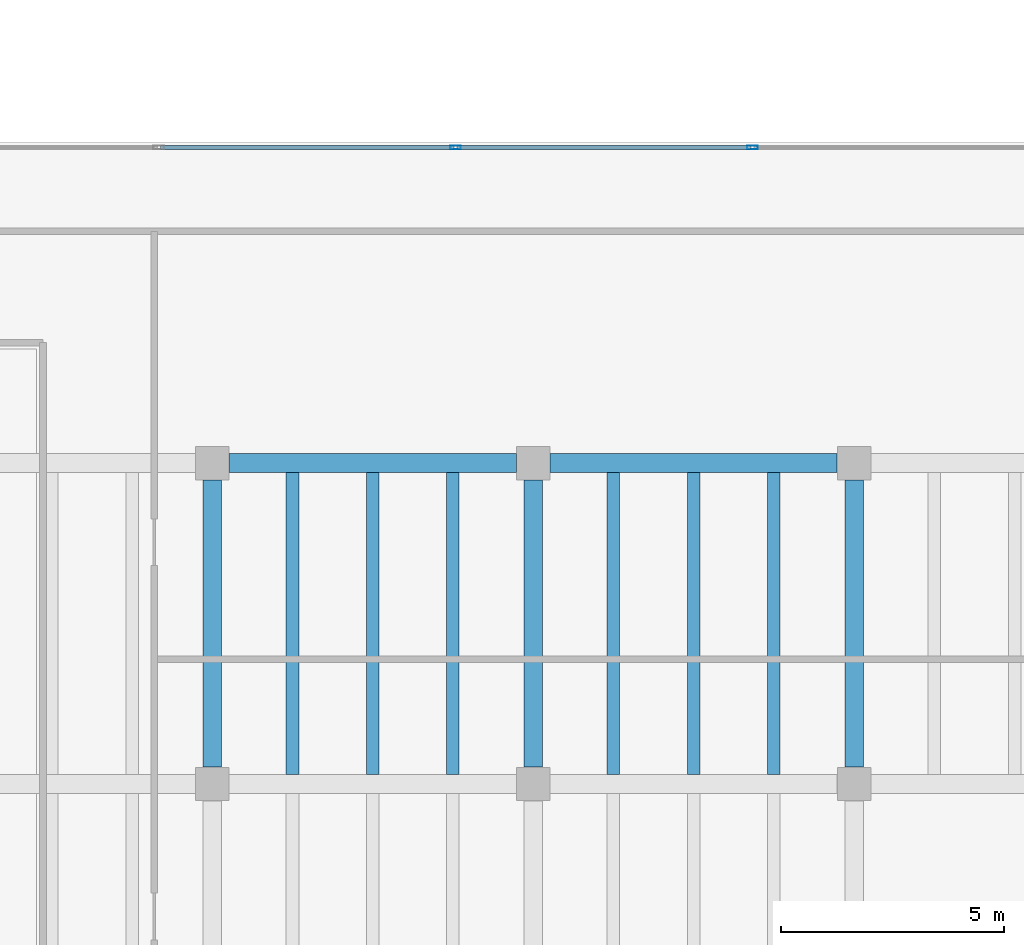
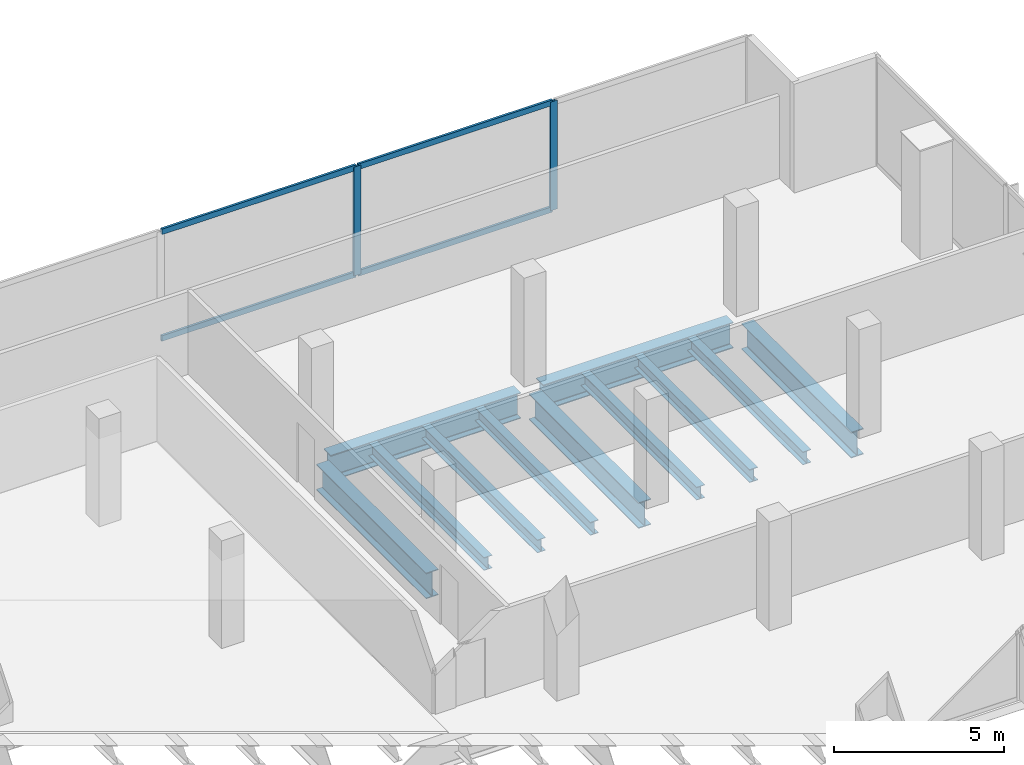
# One storey, part 19 of 32: 11 beams, 6 members, 1 element without a shape of its own.
"""IFC4 building model written with IfcOpenShell, lengths in metres."""

import ifcopenshell
import ifcopenshell.guid

model = None  # the IFC model being written
_history = None  # IfcOwnerHistory: only IFC2X3 demands one
_inside = {}  # id of a spatial element -> (the spatial element, [elements in it])
_under = {}  # id of a project, library or spatial element -> (it, [spatial elements below it])
_declared = {}  # id of a project -> (the project, [libraries it declares])
_typed = {}  # id of a type object -> (the type object, [elements of that type])
_made_of = {}  # id of a material, layer set ... -> (it, [elements and type objects made of it])


def new_model(schema):
    """Start an empty IFC model of exactly this schema.

    Asked for "IFC4X3", IfcOpenShell would pick the latest addendum, in which some entities
    have other attributes; the version numbers below select the first issue.
    IFC2X3 requires an IfcOwnerHistory on every rooted entity: one is made here for all.
    """
    global model, _history
    if schema == "IFC4X3":
        model = ifcopenshell.file(schema_version=(4, 3, 0, 0))
    else:
        model = ifcopenshell.file(schema=schema)
    _inside.clear()
    _under.clear()
    _declared.clear()
    _typed.clear()
    _made_of.clear()
    _history = None
    if model.schema == "IFC2X3":
        org = make("IfcOrganization", Name="unknown")
        user = make(
            "IfcPersonAndOrganization",
            ThePerson=make("IfcPerson", FamilyName="unknown"),
            TheOrganization=org,
        )
        app = make(
            "IfcApplication",
            ApplicationDeveloper=org,
            Version="unknown",
            ApplicationFullName="unknown",
            ApplicationIdentifier="unknown",
        )
        _history = make(
            "IfcOwnerHistory",
            OwningUser=user,
            OwningApplication=app,
            ChangeAction="ADDED",
            CreationDate=0,
        )
    return model


def make(cls, **values):
    """One entity of the class cls with the attributes given. An attribute that is None is left unset."""
    return model.create_entity(
        cls, **{name: value for name, value in values.items() if value is not None}
    )


def rooted(cls, **values):
    """An entity with a GlobalId (a new one), such as an element, a storey or a relation."""
    return make(cls, GlobalId=ifcopenshell.guid.new(), OwnerHistory=_history, **values)


def si_unit(unit_type, name, prefix=None):
    """IfcSIUnit, for example si_unit("LENGTHUNIT", "METRE", prefix="MILLI")."""
    return make("IfcSIUnit", UnitType=unit_type, Prefix=prefix, Name=name)


def assignment(units):
    """IfcUnitAssignment: the units of a project."""
    return None if units is None else make("IfcUnitAssignment", Units=units)


def point(xyz):
    """IfcCartesianPoint."""
    return None if xyz is None else make("IfcCartesianPoint", Coordinates=xyz)


def direction(xyz):
    """IfcDirection."""
    return None if xyz is None else make("IfcDirection", DirectionRatios=xyz)


def frame(location, z_axis=None, x_axis=None):
    """IfcAxis2Placement3D, a coordinate frame: its origin and axes. An axis left out is left unset."""
    return make(
        "IfcAxis2Placement3D",
        Location=point(location),
        Axis=direction(z_axis),
        RefDirection=direction(x_axis),
    )


def frame_2d(location, x_axis=None):
    """IfcAxis2Placement2D, a coordinate frame in the plane: its origin and x axis."""
    return make(
        "IfcAxis2Placement2D", Location=point(location), RefDirection=direction(x_axis)
    )


def origin():
    """The frame at (0, 0, 0) with its axes left unset."""
    return frame((0.0, 0.0, 0.0))


def origin_2d():
    """The frame at (0, 0) in the plane with its x axis left unset."""
    return frame_2d((0.0, 0.0))


def place(relative_to, where):
    """IfcLocalPlacement: puts the frame where relative to a parent placement (None: the world)."""
    return make(
        "IfcLocalPlacement", PlacementRelTo=relative_to, RelativePlacement=where
    )


def context(
    kind, dimensions, precision=None, world=None, true_north=None, identifier=None
):
    """IfcGeometricRepresentationContext, for example the 3D "Model" context."""
    return make(
        "IfcGeometricRepresentationContext",
        ContextIdentifier=identifier,
        ContextType=kind,
        CoordinateSpaceDimension=dimensions,
        Precision=precision,
        WorldCoordinateSystem=world,
        TrueNorth=true_north,
    )


def subcontext(parent, identifier, kind, view, scale=None):
    """IfcGeometricRepresentationSubContext, for example "Body" below "Model"."""
    return make(
        "IfcGeometricRepresentationSubContext",
        ContextIdentifier=identifier,
        ContextType=kind,
        ParentContext=parent,
        TargetScale=scale,
        TargetView=view,
    )


def project(units=None, contexts=None):
    """IfcProject with its units and contexts."""
    return rooted(
        "IfcProject",
        Name="project",
        RepresentationContexts=contexts,
        UnitsInContext=assignment(units),
    )


def spatial(cls, under=None, at=None, **own):
    """A site, building, storey or space (cls), placed at a placement, below another one or the project."""
    s = rooted(cls, ObjectPlacement=at, **own)
    if under is not None:
        _under.setdefault(under.id(), (under, []))[1].append(s)
    return s


def profile(cls, at=None, kind="AREA", **sizes):
    """A parametric profile (cls). Its sizes go by their IFC names, for example OverallWidth=200.0."""
    return make(cls, ProfileType=kind, Position=at, **sizes)


def hollow_rectangle(**sizes):
    """IfcRectangleHollowProfileDef."""
    return profile("IfcRectangleHollowProfileDef", **sizes)


def i_section(**sizes):
    """IfcIShapeProfileDef."""
    return profile("IfcIShapeProfileDef", **sizes)


def extrude(swept, where, along, depth):
    """IfcExtrudedAreaSolid: the profile swept, set in the frame where, extruded along a direction by depth."""
    return make(
        "IfcExtrudedAreaSolid",
        SweptArea=swept,
        Position=where,
        ExtrudedDirection=direction(along),
        Depth=depth,
    )


def shape(context_of_items, identifier, shape_type, items):
    """IfcShapeRepresentation: the items that make up one representation, for example the "Body"."""
    return make(
        "IfcShapeRepresentation",
        ContextOfItems=context_of_items,
        RepresentationIdentifier=identifier,
        RepresentationType=shape_type,
        Items=items,
    )


def material(Name=None, Category=None):
    """IfcMaterial."""
    return make("IfcMaterial", Name=Name, Category=Category)


def material_profile(
    of_material, cross_section, Name=None, Category=None, Priority=None
):
    """IfcMaterialProfile: a cross section and its material."""
    return make(
        "IfcMaterialProfile",
        Name=Name,
        Material=of_material,
        Profile=cross_section,
        Priority=Priority,
        Category=Category,
    )


def profile_set(profiles, Name=None, composite=None):
    """IfcMaterialProfileSet."""
    return make(
        "IfcMaterialProfileSet",
        Name=Name,
        MaterialProfiles=profiles,
        CompositeProfile=composite,
    )


def made_of(thing, what):
    """Note that an element or type object is made of a material, layer set ...; save() writes the relation."""
    if what is not None:
        _made_of.setdefault(what.id(), (what, []))[1].append(thing)
    return thing


def type_object(cls, material=None, **own):
    """A type object (cls), such as IfcWallType, which elements share."""
    return made_of(rooted(cls, **own), material)


def element(
    cls,
    number,
    at=None,
    inside=None,
    cuts=None,
    type_object=None,
    material=None,
    context=None,
    identifier="Body",
    shape_type=None,
    held_by="IfcProductDefinitionShape",
    body=None,
    shapes=None,
    **own,
):
    """One element of the class cls, such as IfcWall. Its Tag is "e" and its number.

    at: its placement. inside: the storey or other place that contains it. cuts: it is an
    opening in that element (IfcRelVoidsElement). A single representation is given by context,
    identifier, shape_type and body (its items); several are given by shapes. held_by: the class
    of the entity that holds the representations. save() writes the other relations.
    """
    e = rooted(cls, Tag="e%d" % number, ObjectPlacement=at, **own)
    if body is not None:
        shapes = [shape(context, identifier, shape_type, body)]
    if shapes is not None:
        e.Representation = make(held_by, Representations=shapes)
    if inside is not None:
        _inside.setdefault(inside.id(), (inside, []))[1].append(e)
    if cuts is not None:
        rooted(
            "IfcRelVoidsElement", RelatingBuildingElement=cuts, RelatedOpeningElement=e
        )
    if type_object is not None:
        _typed.setdefault(type_object.id(), (type_object, []))[1].append(e)
    return made_of(e, material)


def aggregate(whole, parts):
    """IfcRelAggregates: a whole, such as a stair, and the parts it consists of."""
    return rooted("IfcRelAggregates", RelatingObject=whole, RelatedObjects=parts)


def save(model, path):
    """Write the relations noted so far, then the file.

    IfcRelAggregates (storeys below a building ...), IfcRelContainedInSpatialStructure (elements
    in a storey), IfcRelDefinesByType, IfcRelAssociatesMaterial and IfcRelDeclares: one each for
    every whole, place, type object, material and project.
    """
    for whole, parts in _under.values():
        aggregate(whole, parts)
    for where, things in _inside.values():
        rooted(
            "IfcRelContainedInSpatialStructure",
            RelatedElements=things,
            RelatingStructure=where,
        )
    for kind, things in _typed.values():
        rooted("IfcRelDefinesByType", RelatedObjects=things, RelatingType=kind)
    for what, things in _made_of.values():
        rooted("IfcRelAssociatesMaterial", RelatedObjects=things, RelatingMaterial=what)
    for by, libraries in _declared.values():
        rooted("IfcRelDeclares", RelatingContext=by, RelatedDefinitions=libraries)
    model.write(path)


model = new_model("IFC4")

# Units and contexts
model_context = context("Model", 3, precision=1e-05, world=origin(), true_north=direction((0.0, 1.0)))
body_context = subcontext(model_context, "Body", "Model", "MODEL_VIEW")
ifc_project = project(units=[si_unit("LENGTHUNIT", "METRE"), si_unit("AREAUNIT", "SQUARE_METRE"), si_unit("VOLUMEUNIT", "CUBIC_METRE"), si_unit("PLANEANGLEUNIT", "RADIAN"), si_unit("MASSUNIT", "GRAM", prefix="KILO")], contexts=[model_context])

# Site, building, storey
site_placement = place(None, origin())
site = spatial("IfcSite", under=ifc_project, at=site_placement, CompositionType="ELEMENT")
building_placement = place(site_placement, origin())
building = spatial("IfcBuilding", under=site, at=building_placement, Name="Cobrela Telecom Tower", CompositionType="ELEMENT")
storey_placement = place(building_placement, frame((0.0, 0.0, 22.050048828125)))
storey = spatial("IfcBuildingStorey", under=building, at=storey_placement, Name="L05", CompositionType="ELEMENT", Elevation=22.050048828125)

# Beams
ifc_material_1 = material(Name="Steel ASTM A992 Grade 50", Category="steel")
ifc_material_profile_1 = material_profile(ifc_material_1, i_section(OverallWidth=0.4189453125, OverallDepth=0.927001953125, WebThickness=0.019287109375, FlangeThickness=0.031982421875, FilletRadius=0.02392578125, at=origin_2d()), Name="W36X231")
ifc_profile_set_1 = profile_set([ifc_material_profile_1], Name="Steel ASTM A992 Grade 50")
beam_type_1 = type_object("IfcBeamType", Name="BM-GIRD-02", PredefinedType="USERDEFINED", material=ifc_profile_set_1)
for number, where, z_axis, x_axis, name in (
    (1, (65.179931640625, 21.60009765625, -0.753662109375), (1.0, 0.0, 0.0), (0.0, 1.0, 0.0), "L05 Primary Girder X35"),
    (2, (72.3798828125, 21.60009765625, -0.753662109375), (1.0, 0.0, 0.0), (0.0, 1.0, 0.0), "L05 Primary Girder X36"),
):
    element("IfcBeam", number, at=place(storey_placement, frame(where, z_axis=z_axis, x_axis=x_axis)), inside=storey, type_object=beam_type_1, Name=name, ObjectType="GIRDER", PredefinedType="USERDEFINED", context=body_context, shape_type="SweptSolid", body=[
        extrude(i_section(OverallWidth=0.4189453125, OverallDepth=0.927001953125, WebThickness=0.019287109375, FlangeThickness=0.031982421875, FilletRadius=0.02392578125, at=origin_2d()), origin(), (0.0, 0.0, 1.0), 6.440185546875),
    ])
for number, where, z_axis, x_axis, name in (
    (3, (64.800048828125, 14.780029296875, -0.753662109375), (0.0, 1.0, 0.0), (-1.0, 0.0, 0.0), "L05 Primary Girder Y93"),
    (4, (72.0, 14.780029296875, -0.753662109375), (0.0, 1.0, 0.0), (-1.0, 0.0, 0.0), "L05 Primary Girder Y96"),
    (5, (79.199951171875, 14.780029296875, -0.753662109375), (0.0, 1.0, 0.0), (-1.0, 0.0, 0.0), "L05 Primary Girder Y99"),
):
    element("IfcBeam", number, at=place(storey_placement, frame(where, z_axis=z_axis, x_axis=x_axis)), inside=storey, type_object=beam_type_1, Name=name, ObjectType="GIRDER", PredefinedType="USERDEFINED", context=body_context, shape_type="SweptSolid", body=[
        extrude(i_section(OverallWidth=0.4189453125, OverallDepth=0.927001953125, WebThickness=0.019287109375, FlangeThickness=0.031982421875, FilletRadius=0.02392578125, at=origin_2d()), origin(), (0.0, 0.0, 1.0), 6.43994140625),
    ])
ifc_material_profile_2 = material_profile(ifc_material_1, i_section(OverallWidth=0.281982421875, OverallDepth=0.467041015625, WebThickness=0.01220703125, FlangeThickness=0.01953125, FilletRadius=0.012939453125, at=origin_2d()), Name="W18X86")
ifc_profile_set_2 = profile_set([ifc_material_profile_2], Name="Steel ASTM A992 Grade 50")
beam_type_2 = type_object("IfcBeamType", Name="BM-JOIST-02", PredefinedType="JOIST", material=ifc_profile_set_2)
for number, where, z_axis, x_axis, name in (
    (6, (66.60009765625, 14.614501953125, -0.5234375), (0.0, 1.0, 0.0), (-1.0, 0.0, 0.0), "L05 Secondary Composite Floor Beam J120"),
    (7, (68.39990234375, 14.614501953125, -0.5234375), (0.0, 1.0, 0.0), (-1.0, 0.0, 0.0), "L05 Secondary Composite Floor Beam J123"),
    (8, (70.199951171875, 14.614501953125, -0.5234375), (0.0, 1.0, 0.0), (-1.0, 0.0, 0.0), "L05 Secondary Composite Floor Beam J126"),
    (9, (73.800048828125, 14.614501953125, -0.5234375), (0.0, 1.0, 0.0), (-1.0, 0.0, 0.0), "L05 Secondary Composite Floor Beam J129"),
    (10, (75.60009765625, 14.614501953125, -0.5234375), (0.0, 1.0, 0.0), (-1.0, 0.0, 0.0), "L05 Secondary Composite Floor Beam J132"),
    (11, (77.39990234375, 14.614501953125, -0.5234375), (0.0, 1.0, 0.0), (-1.0, 0.0, 0.0), "L05 Secondary Composite Floor Beam J135"),
):
    element("IfcBeam", number, at=place(storey_placement, frame(where, z_axis=z_axis, x_axis=x_axis)), inside=storey, type_object=beam_type_2, Name=name, PredefinedType="JOIST", context=body_context, shape_type="SweptSolid", body=[
        extrude(i_section(OverallWidth=0.281982421875, OverallDepth=0.467041015625, WebThickness=0.01220703125, FlangeThickness=0.01953125, FilletRadius=0.012939453125, at=origin_2d()), origin(), (0.0, 0.0, 1.0), 6.77099609375),
    ])

# Curtain wall, members
ifc_material_2 = material(Name="Anodized Bronze Aluminium 6063-T6", Category="aluminium")
curtain_wall_type = type_object("IfcCurtainWallType", Name="CW-SYS-CONC", PredefinedType="USERDEFINED", material=ifc_material_2)
curtain_wall_placement = place(storey_placement, origin())
curtain_wall = element("IfcCurtainWall", 12, at=curtain_wall_placement, inside=storey, type_object=curtain_wall_type, Name="L05 Unitised Bronze Curtain Wall 11", ObjectType="UNITISED CURTAIN WALL", PredefinedType="USERDEFINED")
ifc_material_profile_3 = material_profile(ifc_material_2, hollow_rectangle(XDim=0.080078125, YDim=0.239990234375, WallThickness=0.0048828125, at=origin_2d()), Name="ALU 80x240x5")
ifc_profile_set_3 = profile_set([ifc_material_profile_3], Name="Anodized Bronze Aluminium 6063-T6")
member_type_1 = type_object("IfcMemberType", Name="CW-SYS-CONC-MUL", PredefinedType="MULLION", material=ifc_profile_set_3)
member_1_placement = place(storey_placement, frame((70.260009765625, 28.679931640625, 0.0), z_axis=(0.0, 0.0, 1.0), x_axis=(0.0, 1.0, 0.0)))
member_1 = element("IfcMember", 13, at=member_1_placement, type_object=member_type_1, Name="CW-CONC mullion 4", PredefinedType="MULLION", context=body_context, shape_type="SweptSolid", body=[
    extrude(hollow_rectangle(XDim=0.080078125, YDim=0.239990234375, WallThickness=0.0048828125, at=origin_2d()), origin(), (0.0, 0.0, 1.0), 3.89990234375),
])
member_2_placement = place(storey_placement, frame((76.919921875, 28.679931640625, 0.0), z_axis=(0.0, 0.0, 1.0), x_axis=(0.0, 1.0, 0.0)))
member_2 = element("IfcMember", 14, at=member_2_placement, type_object=member_type_1, Name="CW-CONC mullion 5", PredefinedType="MULLION", context=body_context, shape_type="SweptSolid", body=[
    extrude(hollow_rectangle(XDim=0.080078125, YDim=0.239990234375, WallThickness=0.0048828125, at=origin_2d()), origin(), (0.0, 0.0, 1.0), 3.89990234375),
])
ifc_material_profile_4 = material_profile(ifc_material_2, hollow_rectangle(XDim=0.080078125, YDim=0.199951171875, WallThickness=0.00390625, at=origin_2d()), Name="ALU 80x200x4")
ifc_profile_set_4 = profile_set([ifc_material_profile_4], Name="Anodized Bronze Aluminium 6063-T6")
member_type_2 = type_object("IfcMemberType", Name="CW-SYS-CONC-TRN", PredefinedType="USERDEFINED", material=ifc_profile_set_4)
member_3_placement = place(storey_placement, frame((63.639892578125, 28.679931640625, 0.0400390625), z_axis=(1.0, 0.0, 0.0), x_axis=(0.0, 1.0, 0.0)))
member_3 = element("IfcMember", 15, at=member_3_placement, type_object=member_type_2, Name="CW-CONC transom 3.1", ObjectType="TRANSOM", PredefinedType="USERDEFINED", context=body_context, shape_type="SweptSolid", body=[
    extrude(hollow_rectangle(XDim=0.080078125, YDim=0.199951171875, WallThickness=0.00390625, at=origin_2d()), origin(), (0.0, 0.0, 1.0), 6.580078125),
])
member_4_placement = place(storey_placement, frame((63.639892578125, 28.679931640625, 3.85986328125), z_axis=(1.0, 0.0, 0.0), x_axis=(0.0, 1.0, 0.0)))
member_4 = element("IfcMember", 16, at=member_4_placement, type_object=member_type_2, Name="CW-CONC transom 3.2", ObjectType="TRANSOM", PredefinedType="USERDEFINED", context=body_context, shape_type="SweptSolid", body=[
    extrude(hollow_rectangle(XDim=0.080078125, YDim=0.199951171875, WallThickness=0.00390625, at=origin_2d()), origin(), (0.0, 0.0, 1.0), 6.580078125),
])
member_5_placement = place(storey_placement, frame((70.300048828125, 28.679931640625, 0.0400390625), z_axis=(1.0, 0.0, 0.0), x_axis=(0.0, 1.0, 0.0)))
member_5 = element("IfcMember", 17, at=member_5_placement, type_object=member_type_2, Name="CW-CONC transom 4.1", ObjectType="TRANSOM", PredefinedType="USERDEFINED", context=body_context, shape_type="SweptSolid", body=[
    extrude(hollow_rectangle(XDim=0.080078125, YDim=0.199951171875, WallThickness=0.00390625, at=origin_2d()), origin(), (0.0, 0.0, 1.0), 6.579833984375),
])
member_6_placement = place(storey_placement, frame((70.300048828125, 28.679931640625, 3.85986328125), z_axis=(1.0, 0.0, 0.0), x_axis=(0.0, 1.0, 0.0)))
member_6 = element("IfcMember", 18, at=member_6_placement, type_object=member_type_2, Name="CW-CONC transom 4.2", ObjectType="TRANSOM", PredefinedType="USERDEFINED", context=body_context, shape_type="SweptSolid", body=[
    extrude(hollow_rectangle(XDim=0.080078125, YDim=0.199951171875, WallThickness=0.00390625, at=origin_2d()), origin(), (0.0, 0.0, 1.0), 6.579833984375),
])
aggregate(curtain_wall, [member_1, member_2, member_3, member_4, member_5, member_6])

save(model, "model.ifc")
